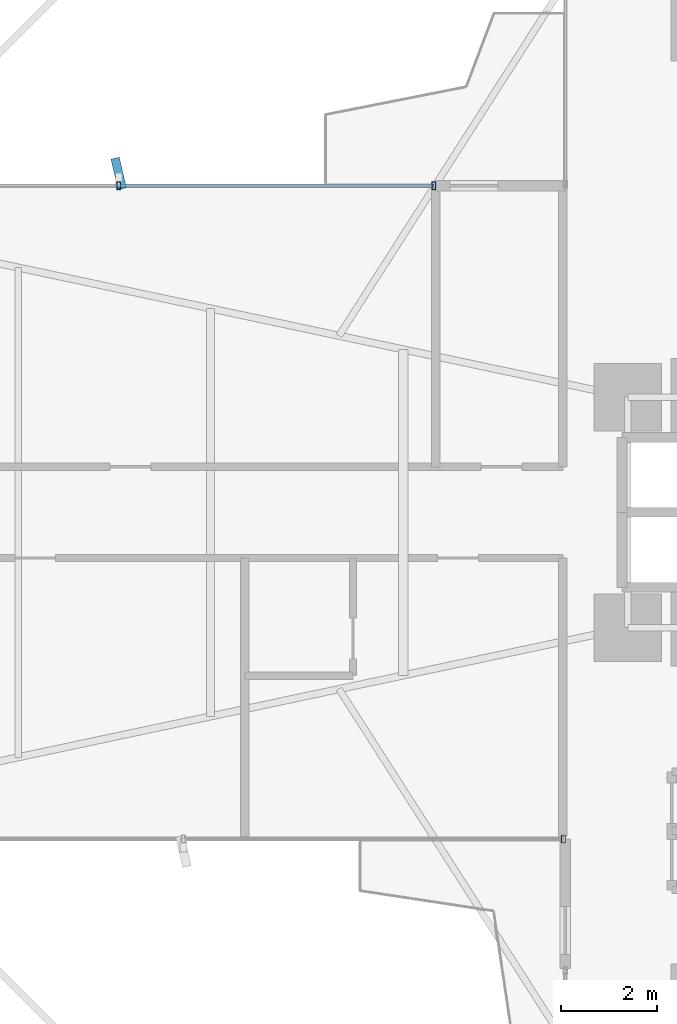
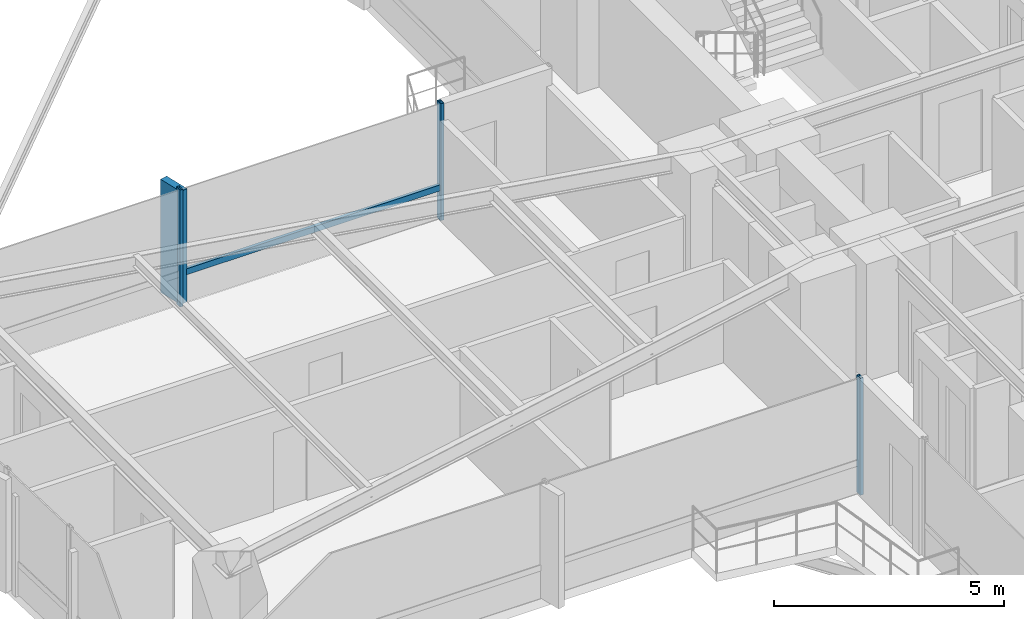
# One storey, part 10 of 26: 5 members, 2 elements without a shape of their own.
"""IFC4 building model written with IfcOpenShell, lengths in metres."""

import ifcopenshell
import ifcopenshell.guid

model = None  # the IFC model being written
_history = None  # IfcOwnerHistory: only IFC2X3 demands one
_inside = {}  # id of a spatial element -> (the spatial element, [elements in it])
_under = {}  # id of a project, library or spatial element -> (it, [spatial elements below it])
_declared = {}  # id of a project -> (the project, [libraries it declares])
_typed = {}  # id of a type object -> (the type object, [elements of that type])
_made_of = {}  # id of a material, layer set ... -> (it, [elements and type objects made of it])


def new_model(schema):
    """Start an empty IFC model of exactly this schema.

    Asked for "IFC4X3", IfcOpenShell would pick the latest addendum, in which some entities
    have other attributes; the version numbers below select the first issue.
    IFC2X3 requires an IfcOwnerHistory on every rooted entity: one is made here for all.
    """
    global model, _history
    if schema == "IFC4X3":
        model = ifcopenshell.file(schema_version=(4, 3, 0, 0))
    else:
        model = ifcopenshell.file(schema=schema)
    _inside.clear()
    _under.clear()
    _declared.clear()
    _typed.clear()
    _made_of.clear()
    _history = None
    if model.schema == "IFC2X3":
        org = make("IfcOrganization", Name="unknown")
        user = make(
            "IfcPersonAndOrganization",
            ThePerson=make("IfcPerson", FamilyName="unknown"),
            TheOrganization=org,
        )
        app = make(
            "IfcApplication",
            ApplicationDeveloper=org,
            Version="unknown",
            ApplicationFullName="unknown",
            ApplicationIdentifier="unknown",
        )
        _history = make(
            "IfcOwnerHistory",
            OwningUser=user,
            OwningApplication=app,
            ChangeAction="ADDED",
            CreationDate=0,
        )
    return model


def make(cls, **values):
    """One entity of the class cls with the attributes given. An attribute that is None is left unset."""
    return model.create_entity(
        cls, **{name: value for name, value in values.items() if value is not None}
    )


def rooted(cls, **values):
    """An entity with a GlobalId (a new one), such as an element, a storey or a relation."""
    return make(cls, GlobalId=ifcopenshell.guid.new(), OwnerHistory=_history, **values)


def si_unit(unit_type, name, prefix=None):
    """IfcSIUnit, for example si_unit("LENGTHUNIT", "METRE", prefix="MILLI")."""
    return make("IfcSIUnit", UnitType=unit_type, Prefix=prefix, Name=name)


def assignment(units):
    """IfcUnitAssignment: the units of a project."""
    return None if units is None else make("IfcUnitAssignment", Units=units)


def point(xyz):
    """IfcCartesianPoint."""
    return None if xyz is None else make("IfcCartesianPoint", Coordinates=xyz)


def direction(xyz):
    """IfcDirection."""
    return None if xyz is None else make("IfcDirection", DirectionRatios=xyz)


def frame(location, z_axis=None, x_axis=None):
    """IfcAxis2Placement3D, a coordinate frame: its origin and axes. An axis left out is left unset."""
    return make(
        "IfcAxis2Placement3D",
        Location=point(location),
        Axis=direction(z_axis),
        RefDirection=direction(x_axis),
    )


def frame_2d(location, x_axis=None):
    """IfcAxis2Placement2D, a coordinate frame in the plane: its origin and x axis."""
    return make(
        "IfcAxis2Placement2D", Location=point(location), RefDirection=direction(x_axis)
    )


def origin():
    """The frame at (0, 0, 0) with its axes left unset."""
    return frame((0.0, 0.0, 0.0))


def origin_2d():
    """The frame at (0, 0) in the plane with its x axis left unset."""
    return frame_2d((0.0, 0.0))


def place(relative_to, where):
    """IfcLocalPlacement: puts the frame where relative to a parent placement (None: the world)."""
    return make(
        "IfcLocalPlacement", PlacementRelTo=relative_to, RelativePlacement=where
    )


def context(
    kind, dimensions, precision=None, world=None, true_north=None, identifier=None
):
    """IfcGeometricRepresentationContext, for example the 3D "Model" context."""
    return make(
        "IfcGeometricRepresentationContext",
        ContextIdentifier=identifier,
        ContextType=kind,
        CoordinateSpaceDimension=dimensions,
        Precision=precision,
        WorldCoordinateSystem=world,
        TrueNorth=true_north,
    )


def subcontext(parent, identifier, kind, view, scale=None):
    """IfcGeometricRepresentationSubContext, for example "Body" below "Model"."""
    return make(
        "IfcGeometricRepresentationSubContext",
        ContextIdentifier=identifier,
        ContextType=kind,
        ParentContext=parent,
        TargetScale=scale,
        TargetView=view,
    )


def project(units=None, contexts=None):
    """IfcProject with its units and contexts."""
    return rooted(
        "IfcProject",
        Name="project",
        RepresentationContexts=contexts,
        UnitsInContext=assignment(units),
    )


def spatial(cls, under=None, at=None, **own):
    """A site, building, storey or space (cls), placed at a placement, below another one or the project."""
    s = rooted(cls, ObjectPlacement=at, **own)
    if under is not None:
        _under.setdefault(under.id(), (under, []))[1].append(s)
    return s


def profile(cls, at=None, kind="AREA", **sizes):
    """A parametric profile (cls). Its sizes go by their IFC names, for example OverallWidth=200.0."""
    return make(cls, ProfileType=kind, Position=at, **sizes)


def rectangle(**sizes):
    """IfcRectangleProfileDef."""
    return profile("IfcRectangleProfileDef", **sizes)


def hollow_rectangle(**sizes):
    """IfcRectangleHollowProfileDef."""
    return profile("IfcRectangleHollowProfileDef", **sizes)


def extrude(swept, where, along, depth):
    """IfcExtrudedAreaSolid: the profile swept, set in the frame where, extruded along a direction by depth."""
    return make(
        "IfcExtrudedAreaSolid",
        SweptArea=swept,
        Position=where,
        ExtrudedDirection=direction(along),
        Depth=depth,
    )


def shape(context_of_items, identifier, shape_type, items):
    """IfcShapeRepresentation: the items that make up one representation, for example the "Body"."""
    return make(
        "IfcShapeRepresentation",
        ContextOfItems=context_of_items,
        RepresentationIdentifier=identifier,
        RepresentationType=shape_type,
        Items=items,
    )


def source(mapping_origin, context_of_items, identifier, shape_type, items):
    """IfcRepresentationMap: a shape defined once, which mapped items show again and again."""
    return make(
        "IfcRepresentationMap",
        MappingOrigin=mapping_origin,
        MappedRepresentation=shape(context_of_items, identifier, shape_type, items),
    )


def transform(
    local_origin,
    x_axis=None,
    y_axis=None,
    z_axis=None,
    scale=None,
    scale2=None,
    scale3=None,
    uniform=True,
):
    """IfcCartesianTransformationOperator3D, or its non-uniform kind. x_axis, y_axis, z_axis: its Axis1, 2, 3."""
    if uniform:
        return make(
            "IfcCartesianTransformationOperator3D",
            Axis1=direction(x_axis),
            Axis2=direction(y_axis),
            LocalOrigin=point(local_origin),
            Scale=scale,
            Axis3=direction(z_axis),
        )
    return make(
        "IfcCartesianTransformationOperator3DnonUniform",
        Axis1=direction(x_axis),
        Axis2=direction(y_axis),
        LocalOrigin=point(local_origin),
        Scale=scale,
        Axis3=direction(z_axis),
        Scale2=scale2,
        Scale3=scale3,
    )


def mapped(mapping_source, mapping_target):
    """IfcMappedItem: shows the shape of a source again, moved by a transform."""
    return make(
        "IfcMappedItem", MappingSource=mapping_source, MappingTarget=mapping_target
    )


def material(Name=None, Category=None):
    """IfcMaterial."""
    return make("IfcMaterial", Name=Name, Category=Category)


def material_profile(
    of_material, cross_section, Name=None, Category=None, Priority=None
):
    """IfcMaterialProfile: a cross section and its material."""
    return make(
        "IfcMaterialProfile",
        Name=Name,
        Material=of_material,
        Profile=cross_section,
        Priority=Priority,
        Category=Category,
    )


def profile_set(profiles, Name=None, composite=None):
    """IfcMaterialProfileSet."""
    return make(
        "IfcMaterialProfileSet",
        Name=Name,
        MaterialProfiles=profiles,
        CompositeProfile=composite,
    )


def made_of(thing, what):
    """Note that an element or type object is made of a material, layer set ...; save() writes the relation."""
    if what is not None:
        _made_of.setdefault(what.id(), (what, []))[1].append(thing)
    return thing


def type_object(cls, material=None, **own):
    """A type object (cls), such as IfcWallType, which elements share."""
    return made_of(rooted(cls, **own), material)


def element(
    cls,
    number,
    at=None,
    inside=None,
    cuts=None,
    type_object=None,
    material=None,
    context=None,
    identifier="Body",
    shape_type=None,
    held_by="IfcProductDefinitionShape",
    body=None,
    shapes=None,
    **own,
):
    """One element of the class cls, such as IfcWall. Its Tag is "e" and its number.

    at: its placement. inside: the storey or other place that contains it. cuts: it is an
    opening in that element (IfcRelVoidsElement). A single representation is given by context,
    identifier, shape_type and body (its items); several are given by shapes. held_by: the class
    of the entity that holds the representations. save() writes the other relations.
    """
    e = rooted(cls, Tag="e%d" % number, ObjectPlacement=at, **own)
    if body is not None:
        shapes = [shape(context, identifier, shape_type, body)]
    if shapes is not None:
        e.Representation = make(held_by, Representations=shapes)
    if inside is not None:
        _inside.setdefault(inside.id(), (inside, []))[1].append(e)
    if cuts is not None:
        rooted(
            "IfcRelVoidsElement", RelatingBuildingElement=cuts, RelatedOpeningElement=e
        )
    if type_object is not None:
        _typed.setdefault(type_object.id(), (type_object, []))[1].append(e)
    return made_of(e, material)


def aggregate(whole, parts):
    """IfcRelAggregates: a whole, such as a stair, and the parts it consists of."""
    return rooted("IfcRelAggregates", RelatingObject=whole, RelatedObjects=parts)


def save(model, path):
    """Write the relations noted so far, then the file.

    IfcRelAggregates (storeys below a building ...), IfcRelContainedInSpatialStructure (elements
    in a storey), IfcRelDefinesByType, IfcRelAssociatesMaterial and IfcRelDeclares: one each for
    every whole, place, type object, material and project.
    """
    for whole, parts in _under.values():
        aggregate(whole, parts)
    for where, things in _inside.values():
        rooted(
            "IfcRelContainedInSpatialStructure",
            RelatedElements=things,
            RelatingStructure=where,
        )
    for kind, things in _typed.values():
        rooted("IfcRelDefinesByType", RelatedObjects=things, RelatingType=kind)
    for what, things in _made_of.values():
        rooted("IfcRelAssociatesMaterial", RelatedObjects=things, RelatingMaterial=what)
    for by, libraries in _declared.values():
        rooted("IfcRelDeclares", RelatingContext=by, RelatedDefinitions=libraries)
    model.write(path)


model = new_model("IFC4")

# Units and contexts
model_context = context("Model", 3, precision=1e-05, world=origin(), true_north=direction((0.0, 1.0)))
body_context = subcontext(model_context, "Body", "Model", "MODEL_VIEW")
ifc_project = project(units=[si_unit("LENGTHUNIT", "METRE"), si_unit("AREAUNIT", "SQUARE_METRE"), si_unit("VOLUMEUNIT", "CUBIC_METRE"), si_unit("PLANEANGLEUNIT", "RADIAN"), si_unit("MASSUNIT", "GRAM", prefix="KILO")], contexts=[model_context])

# Site, building, storey
site_placement = place(None, origin())
site = spatial("IfcSite", under=ifc_project, at=site_placement, CompositionType="ELEMENT")
building_placement = place(site_placement, origin())
building = spatial("IfcBuilding", under=site, at=building_placement, Name="Sahyath Konkavel Grand Hotel", CompositionType="ELEMENT")
storey_placement = place(building_placement, frame((0.0, 0.0, 29.800048828125)))
storey = spatial("IfcBuildingStorey", under=building, at=storey_placement, Name="L07", CompositionType="ELEMENT", Elevation=29.800048828125)

# Curtain wall, members
ifc_material_1 = material(Name="Anodised Bronze Aluminium & Low-E Glazing", Category="aluminium")
curtain_wall_type = type_object("IfcCurtainWallType", Name="CW-ZONE1", PredefinedType="NOTDEFINED", material=ifc_material_1)
curtain_wall_1_placement = place(storey_placement, origin())
curtain_wall_1 = element("IfcCurtainWall", 1, at=curtain_wall_1_placement, inside=storey, type_object=curtain_wall_type, Name="L07 Unitised Curtain Wall F16", PredefinedType="NOTDEFINED")
ifc_material_2 = material(Name="Anodised Bronze Aluminium", Category="aluminium")
ifc_material_profile_1 = material_profile(ifc_material_2, hollow_rectangle(XDim=0.080078125, YDim=0.159912109375, WallThickness=0.006103515625, at=origin_2d()), Name="RHS 160x80x6")
ifc_profile_set_1 = profile_set([ifc_material_profile_1], Name="Anodised Bronze Aluminium")
member_type_1 = type_object("IfcMemberType", Name="CW-MUL-160", PredefinedType="MULLION", material=ifc_profile_set_1)
shared_shape_1 = source(origin(), body_context, "Body", "SweptSolid", [
    extrude(hollow_rectangle(XDim=0.080078125, YDim=0.159912109375, WallThickness=0.006103515625, at=origin_2d()), origin(), (0.0, 0.0, 1.0), 3.10986328125),
])
member_1_placement = place(storey_placement, frame((-9.5400390625, 6.800048828125, 0.0), z_axis=(0.0, 0.0, 1.0), x_axis=(1.0, 0.0, 0.0)))
member_1 = element("IfcMember", 2, at=member_1_placement, type_object=member_type_1, Name="L07 Curtain Wall Mullion F16-0", PredefinedType="MULLION", context=body_context, shape_type="MappedRepresentation", body=[
    mapped(shared_shape_1, transform((0.0, 0.0, 0.0), scale=1.0)),
])
member_2_placement = place(storey_placement, frame((-16.10009765625, 6.800048828125, 0.0), z_axis=(0.0, 0.0, 1.0), x_axis=(1.0, 0.0, 0.0)))
member_2 = element("IfcMember", 3, at=member_2_placement, type_object=member_type_1, Name="L07 Curtain Wall Mullion F16-1", PredefinedType="MULLION", context=body_context, shape_type="MappedRepresentation", body=[
    mapped(shared_shape_1, transform((0.0, 0.0, 0.0), scale=1.0)),
])

# Curtain wall, member
curtain_wall_2_placement = place(storey_placement, origin())
curtain_wall_2 = element("IfcCurtainWall", 4, at=curtain_wall_2_placement, inside=storey, type_object=curtain_wall_type, Name="L07 Unitised Curtain Wall F23", PredefinedType="NOTDEFINED")
member_3_placement = place(storey_placement, frame((-6.840087890625, -6.800048828125, 0.0), z_axis=(0.0, 0.0, 1.0), x_axis=(1.0, 0.0, 0.0)))
member_3 = element("IfcMember", 5, at=member_3_placement, type_object=member_type_1, Name="L07 Curtain Wall Mullion F23-2", PredefinedType="MULLION", context=body_context, shape_type="MappedRepresentation", body=[
    mapped(shared_shape_1, transform((0.0, 0.0, 0.0), scale=1.0)),
])
aggregate(curtain_wall_2, [member_3])

# Member
ifc_material_3 = material(Name="Warm Buff Sandstone Cladding on Concrete C50/60", Category="masonry")
ifc_material_profile_2 = material_profile(ifc_material_3, rectangle(XDim=0.179931640625, YDim=0.64990234375, at=origin_2d()), Name="FIN 180x650")
ifc_profile_set_2 = profile_set([ifc_material_profile_2], Name="Warm Buff Sandstone Cladding on Concrete C50/60")
member_type_2 = type_object("IfcMemberType", Name="FIN-SANDSTONE-650", PredefinedType="MULLION", material=ifc_profile_set_2)
shared_shape_2 = source(origin(), body_context, "Body", "SweptSolid", [
    extrude(rectangle(XDim=0.179931640625, YDim=0.64990234375, at=origin_2d()), origin(), (0.0, 0.0, 1.0), 3.010009765625),
])
member_4_placement = place(storey_placement, frame((-16.10009765625, 7.06005859375, 0.050048828125), z_axis=(0.0, 0.0, 1.0), x_axis=(0.973896791711, 0.226991275371, 0.0)))
member_4 = element("IfcMember", 6, at=member_4_placement, type_object=member_type_2, Name="L07 Sandstone Vertical Solar Fin FIN F16-1", PredefinedType="MULLION", context=body_context, shape_type="MappedRepresentation", body=[
    mapped(shared_shape_2, transform((0.0, 0.0, 0.0), scale=1.0)),
])

ifc_material_profile_3 = material_profile(ifc_material_2, hollow_rectangle(XDim=0.080078125, YDim=0.159912109375, WallThickness=0.006103515625, at=origin_2d()), Name="RHS 160x80x6")
ifc_profile_set_3 = profile_set([ifc_material_profile_3], Name="Anodised Bronze Aluminium")
member_type_3 = type_object("IfcMemberType", Name="CW-TRN-160", PredefinedType="USERDEFINED", material=ifc_profile_set_3)
shared_shape_3 = source(origin(), body_context, "Body", "SweptSolid", [
    extrude(hollow_rectangle(XDim=0.080078125, YDim=0.159912109375, WallThickness=0.006103515625, at=origin_2d()), origin(), (0.0, 0.0, 1.0), 6.56005859375),
])
member_5_placement = place(storey_placement, frame((-9.5400390625, 6.800048828125, 0.849853515625), z_axis=(-1.0, 0.0, 0.0), x_axis=(0.0, -1.0, 0.0)))
member_5 = element("IfcMember", 7, at=member_5_placement, type_object=member_type_3, Name="L07 Curtain Wall Transom F16-0-spandrel", ObjectType="TRANSOM", PredefinedType="USERDEFINED", context=body_context, shape_type="MappedRepresentation", body=[
    mapped(shared_shape_3, transform((0.0, 0.0, 0.0), scale=1.0)),
])

aggregate(curtain_wall_1, [member_1, member_2, member_4, member_5])

save(model, "model.ifc")
